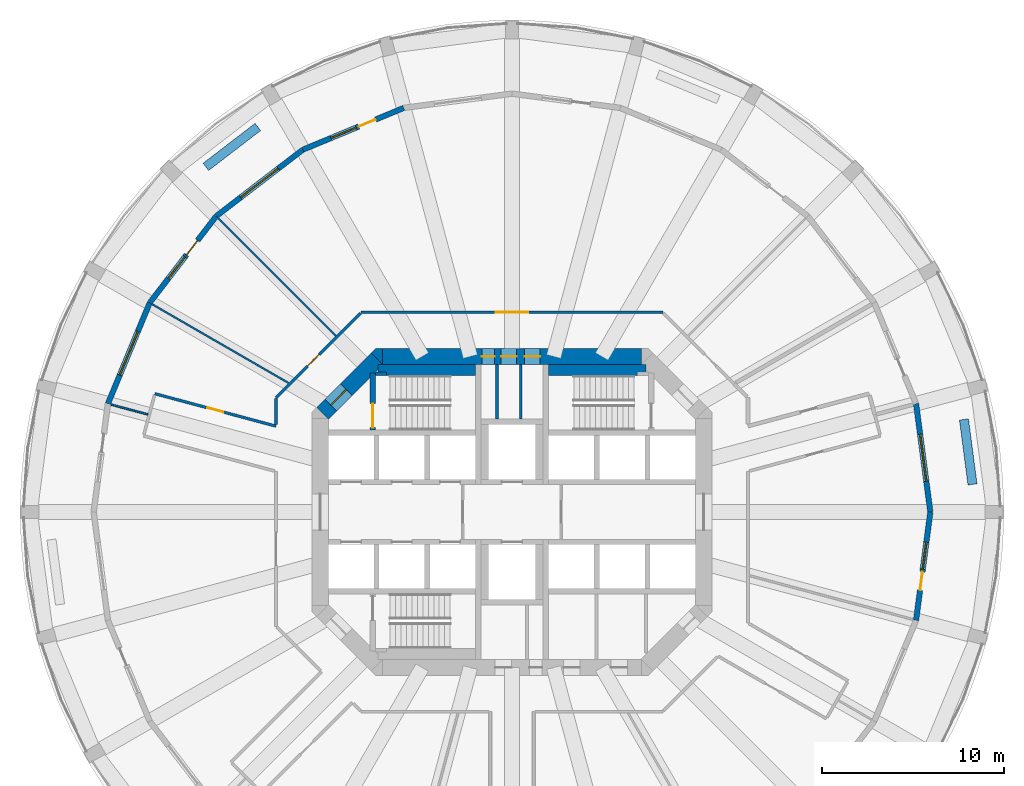
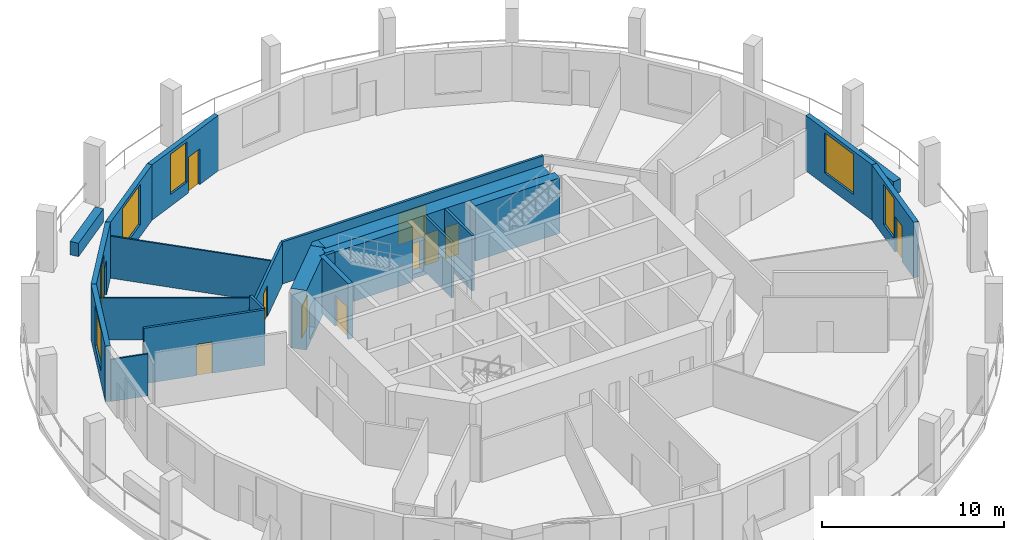
# One storey, part 5 of 9: 24 walls, 11 doors, 6 windows, 17 openings.
"""IFC4 building model written with IfcOpenShell, lengths in metres."""

from ifc_helpers import new_model, si_unit, direction, frame, frame_2d, origin, place, context, subcontext, project, spatial, polyline, rectangle, outline, extrude, material, layer, layer_set, type_object, element, fill, save


model = new_model("IFC4")

# Units and contexts
model_context = context("Model", 3, precision=1e-05, world=origin(), true_north=direction((0.0, 1.0)))
body_context = subcontext(model_context, "Body", "Model", "MODEL_VIEW")
ifc_project = project(units=[si_unit("LENGTHUNIT", "METRE"), si_unit("AREAUNIT", "SQUARE_METRE"), si_unit("VOLUMEUNIT", "CUBIC_METRE"), si_unit("PLANEANGLEUNIT", "RADIAN"), si_unit("MASSUNIT", "GRAM", prefix="KILO")], contexts=[model_context])

# Site, building, storey
site_placement = place(None, origin())
site = spatial("IfcSite", under=ifc_project, at=site_placement, CompositionType="ELEMENT")
building_placement = place(site_placement, origin())
building = spatial("IfcBuilding", under=site, at=building_placement, Name="Torre Triforio", CompositionType="ELEMENT")
storey_placement = place(building_placement, frame((0.0, 0.0, 43.0)))
storey = spatial("IfcBuildingStorey", under=building, at=storey_placement, Name="L08", CompositionType="ELEMENT", Elevation=43.0)

# Wall, openings, doors
ifc_material_1 = material(Name="Concrete C60", Category="concrete")
ifc_layer_1 = layer(ifc_material_1, 0.89990234375)
ifc_layer_set_1 = layer_set([ifc_layer_1], Name="Concrete C60")
wall_type_1 = type_object("IfcWallType", Name="Core wall 900 mm C60 EI 120", PredefinedType="SHEAR", material=ifc_layer_set_1)
wall_1_placement = place(storey_placement, frame((-7.1298828125, 8.550048828125, -0.280029296875), z_axis=(0.0, 0.0, 1.0), x_axis=(1.0, 0.0, 0.0)))
wall_1 = element("IfcWall", 1, at=wall_1_placement, inside=storey, type_object=wall_type_1, Name="Core wall", PredefinedType="SHEAR", context=body_context, shape_type="SweptSolid", body=[
    extrude(rectangle(XDim=14.259765625, YDim=0.89990234375, at=frame_2d((7.1298828125, 0.0))), origin(), (0.0, 0.0, 1.0), 4.0),
])
opening_1_placement = place(wall_1_placement, frame((5.47998046875, 0.0, 0.280029296875)))
opening_1 = element("IfcOpeningElement", 2, at=opening_1_placement, cuts=wall_1, Name="Opening RISER-N", PredefinedType="OPENING", context=body_context, shape_type="SweptSolid", body=[
    extrude(rectangle(XDim=0.699951171875, YDim=2.10009765625, at=frame_2d((0.35009765625, 1.050048828125))), frame((0.0, 0.4599609375, 0.0), z_axis=(0.0, -1.0, 0.0), x_axis=(1.0, 0.0, 0.0)), (0.0, 0.0, 1.0), 0.919921875),
])
opening_2_placement = place(wall_1_placement, frame((6.530029296875, 0.0, 0.280029296875)))
opening_2 = element("IfcOpeningElement", 3, at=opening_2_placement, cuts=wall_1, Name="Opening NE-01A", PredefinedType="OPENING", context=body_context, shape_type="SweptSolid", body=[
    extrude(rectangle(XDim=0.85009765625, YDim=2.10009765625, at=frame_2d((0.425048828125, 1.050048828125))), frame((0.0, 0.4599609375, 0.0), z_axis=(0.0, -1.0, 0.0), x_axis=(1.0, 0.0, 0.0)), (0.0, 0.0, 1.0), 0.919921875),
])
opening_3_placement = place(wall_1_placement, frame((7.830078125, 0.0, 0.280029296875)))
opening_3 = element("IfcOpeningElement", 4, at=opening_3_placement, cuts=wall_1, Name="Opening NE-02", PredefinedType="OPENING", context=body_context, shape_type="SweptSolid", body=[
    extrude(rectangle(XDim=0.85009765625, YDim=2.10009765625, at=frame_2d((0.425048828125, 1.050048828125))), frame((0.0, 0.4599609375, 0.0), z_axis=(0.0, -1.0, 0.0), x_axis=(1.0, 0.0, 0.0)), (0.0, 0.0, 1.0), 0.919921875),
])
ifc_material_2 = material(Name="Hollow metal fire door leaf")
door_type_1 = type_object("IfcDoorType", Name="Plant room door 850 x 2100 EI 60", OperationType="NOTDEFINED", PredefinedType="DOOR", material=ifc_material_2)
door_1_placement = place(opening_3_placement, origin())
door_1 = element("IfcDoor", 5, at=door_1_placement, inside=storey, type_object=door_type_1, Name="Core door NE-02", OperationType="SINGLE_SWING_RIGHT", OverallHeight=2.10009765625, OverallWidth=0.85009765625, PredefinedType="DOOR", context=body_context, shape_type="SweptSolid", body=[
    extrude(rectangle(XDim=0.85009765625, YDim=2.10009765625, at=frame_2d((0.425048828125, 1.050048828125))), frame((0.0, 0.02490234375, 0.0), z_axis=(0.0, -1.0, 0.0), x_axis=(1.0, 0.0, 0.0)), (0.0, 0.0, 1.0), 0.050048828125),
])
fill(opening_3, door_1)
door_type_2 = type_object("IfcDoorType", Name="Riser door 700 x 2100 EI 60", OperationType="NOTDEFINED", PredefinedType="DOOR", material=ifc_material_2)
door_2_placement = place(opening_1_placement, origin())
door_2 = element("IfcDoor", 6, at=door_2_placement, inside=storey, type_object=door_type_2, Name="Core door RISER-N", OperationType="SINGLE_SWING_LEFT", OverallHeight=2.10009765625, OverallWidth=0.699951171875, PredefinedType="DOOR", context=body_context, shape_type="SweptSolid", body=[
    extrude(rectangle(XDim=0.699951171875, YDim=2.10009765625, at=frame_2d((0.35009765625, 1.050048828125))), frame((0.0, 0.02490234375, 0.0), z_axis=(0.0, -1.0, 0.0), x_axis=(1.0, 0.0, 0.0)), (0.0, 0.0, 1.0), 0.050048828125),
])
fill(opening_1, door_2)
door_type_3 = type_object("IfcDoorType", Name="Room door 850 x 2100 EI 60", OperationType="NOTDEFINED", PredefinedType="DOOR", material=ifc_material_2)
door_3_placement = place(opening_2_placement, origin())
door_3 = element("IfcDoor", 7, at=door_3_placement, inside=storey, type_object=door_type_3, Name="Core door NE-01", OperationType="SINGLE_SWING_LEFT", OverallHeight=2.10009765625, OverallWidth=0.85009765625, PredefinedType="DOOR", context=body_context, shape_type="SweptSolid", body=[
    extrude(rectangle(XDim=0.85009765625, YDim=2.10009765625, at=frame_2d((0.425048828125, 1.050048828125))), frame((0.0, 0.02490234375, 0.0), z_axis=(0.0, -1.0, 0.0), x_axis=(1.0, 0.0, 0.0)), (0.0, 0.0, 1.0), 0.050048828125),
])
fill(opening_2, door_3)

# Wall, opening, door
wall_2_placement = place(storey_placement, frame((-10.418212890625, 5.418212890625, -0.280029296875), z_axis=(0.0, 0.0, 1.0), x_axis=(0.707106781187, 0.707106781187, 0.0)))
wall_2 = element("IfcWall", 8, at=wall_2_placement, inside=storey, type_object=wall_type_1, Name="Core wall", PredefinedType="SHEAR", context=body_context, shape_type="SweptSolid", body=[
    extrude(rectangle(XDim=4.24267578125, YDim=0.89990234375, at=frame_2d((2.121337890625, 0.0))), origin(), (0.0, 0.0, 1.0), 4.0),
])
opening_4_placement = place(wall_2_placement, frame((0.64990234375, 0.0, 0.280029296875)))
opening_4 = element("IfcOpeningElement", 9, at=opening_4_placement, cuts=wall_2, Name="Opening ST1-EXIT", PredefinedType="OPENING", context=body_context, shape_type="SweptSolid", body=[
    extrude(rectangle(XDim=1.199951171875, YDim=2.10009765625, at=frame_2d((0.60009765625, 1.050048828125))), frame((0.0, 0.4599609375, 0.0), z_axis=(0.0, -1.0, 0.0), x_axis=(1.0, 0.0, 0.0)), (0.0, 0.0, 1.0), 0.919921875),
])
door_type_4 = type_object("IfcDoorType", Name="Stair lobby door 1200 x 2100 EI 60", OperationType="NOTDEFINED", PredefinedType="DOOR", material=ifc_material_2)
door_4_placement = place(opening_4_placement, origin())
door_4 = element("IfcDoor", 10, at=door_4_placement, inside=storey, type_object=door_type_4, Name="Core door ST1-EXIT", OperationType="SINGLE_SWING_RIGHT", OverallHeight=2.10009765625, OverallWidth=1.199951171875, PredefinedType="DOOR", context=body_context, shape_type="SweptSolid", body=[
    extrude(rectangle(XDim=1.199951171875, YDim=2.10009765625, at=frame_2d((0.60009765625, 1.050048828125))), frame((0.0, 0.02490234375, 0.0), z_axis=(0.0, -1.0, 0.0), x_axis=(1.0, 0.0, 0.0)), (0.0, 0.0, 1.0), 0.050048828125),
])
fill(opening_4, door_4)

# Wall
wall_3_placement = place(storey_placement, frame((0.0, 0.0, -0.280029296875)))
element("IfcWall", 11, at=wall_3_placement, inside=storey, type_object=wall_type_1, Name="Core wall", PredefinedType="SHEAR", context=body_context, shape_type="SweptSolid", body=[
    extrude(outline(polyline([(-7.472900390625, 9.0), (-7.1298828125, 9.0), (-7.1298828125, 8.1298828125), (-7.736328125, 8.736328125), (-7.472900390625, 9.0)])), origin(), (0.0, 0.0, 1.0), 4.0),
])

# Wall, opening, door
ifc_material_3 = material(Name="Plasterboard on metal studs")
ifc_layer_2 = layer(ifc_material_3, 0.14990234375)
ifc_layer_set_2 = layer_set([ifc_layer_2], Name="Plasterboard on metal studs")
wall_type_2 = type_object("IfcWallType", Name="Corridor and tenancy wall 150 mm EI 60", PredefinedType="PARTITIONING", material=ifc_layer_set_2)
wall_4_placement = place(storey_placement, frame((-19.634521484375, 6.50341796875, 0.0), z_axis=(0.0, 0.0, 1.0), x_axis=(0.965924499418, -0.258823997003, 0.0)))
wall_4 = element("IfcWall", 12, at=wall_4_placement, inside=storey, type_object=wall_type_2, Name="Partition 17", PredefinedType="PARTITIONING", context=body_context, shape_type="SweptSolid", body=[
    extrude(rectangle(XDim=6.894287109375, YDim=0.14990234375, at=frame_2d((3.447265625, 0.0))), origin(), (0.0, 0.0, 1.0), 3.719970703125),
])
opening_5_placement = place(wall_4_placement, frame((2.997314453125, 0.0, 0.0)))
opening_5 = element("IfcOpeningElement", 13, at=opening_5_placement, cuts=wall_4, Name="Opening N2-03", PredefinedType="OPENING", context=body_context, shape_type="SweptSolid", body=[
    extrude(rectangle(XDim=0.89990234375, YDim=2.10009765625, at=frame_2d((0.449951171875, 1.050048828125))), frame((0.0, 0.0849609375, 0.0), z_axis=(0.0, -1.0, 0.0), x_axis=(1.0, 0.0, 0.0)), (0.0, 0.0, 1.0), 0.169921875),
])
ifc_material_4 = material(Name="Timber", Category="wood")
door_type_5 = type_object("IfcDoorType", Name="Door 900 x 2100 single leaf EI 30", OperationType="NOTDEFINED", PredefinedType="DOOR", material=ifc_material_4)
door_5_placement = place(opening_5_placement, origin())
door_5 = element("IfcDoor", 14, at=door_5_placement, inside=storey, type_object=door_type_5, Name="Door N2-03", OperationType="SINGLE_SWING_LEFT", OverallHeight=2.10009765625, OverallWidth=0.89990234375, PredefinedType="DOOR", context=body_context, shape_type="SweptSolid", body=[
    extrude(rectangle(XDim=0.89990234375, YDim=2.10009765625, at=frame_2d((0.449951171875, 1.050048828125))), frame((0.0, 0.02490234375, 0.0), z_axis=(0.0, -1.0, 0.0), x_axis=(1.0, 0.0, 0.0)), (0.0, 0.0, 1.0), 0.050048828125),
])
fill(opening_5, door_5)

# Wall
wall_5_placement = place(storey_placement, frame((-12.97509765625, 4.81640625, 0.0), z_axis=(0.0, 0.0, 1.0), x_axis=(0.0, 1.0, 0.0)))
element("IfcWall", 15, at=wall_5_placement, inside=storey, type_object=wall_type_2, Name="Partition 18", PredefinedType="PARTITIONING", context=body_context, shape_type="SweptSolid", body=[
    extrude(rectangle(XDim=1.421875, YDim=0.14990234375, at=frame_2d((0.7109375, 0.0))), origin(), (0.0, 0.0, 1.0), 3.719970703125),
])

# Wall, opening, door
wall_6_placement = place(storey_placement, frame((-12.97509765625, 6.291015625, 0.0), z_axis=(0.0, 0.0, 1.0), x_axis=(0.707125355289, 0.707088206597, 0.0)))
wall_6 = element("IfcWall", 16, at=wall_6_placement, inside=storey, type_object=wall_type_2, Name="Partition 19", PredefinedType="PARTITIONING", context=body_context, shape_type="SweptSolid", body=[
    extrude(rectangle(XDim=6.572021484375, YDim=0.14990234375, at=frame_2d((3.2861328125, 0.0))), origin(), (0.0, 0.0, 1.0), 2.820068359375),
])
opening_6_placement = place(wall_6_placement, frame((2.450439453125, 0.0, 0.0)))
opening_6 = element("IfcOpeningElement", 17, at=opening_6_placement, cuts=wall_6, Name="Opening N2-02", PredefinedType="OPENING", context=body_context, shape_type="SweptSolid", body=[
    extrude(rectangle(XDim=0.89990234375, YDim=2.10009765625, at=frame_2d((0.449951171875, 1.050048828125))), frame((0.0, 0.0849609375, 0.0), z_axis=(0.0, -1.0, 0.0), x_axis=(1.0, 0.0, 0.0)), (0.0, 0.0, 1.0), 0.169921875),
])
door_6_placement = place(opening_6_placement, origin())
door_6 = element("IfcDoor", 18, at=door_6_placement, inside=storey, type_object=door_type_5, Name="Door N2-02", OperationType="SINGLE_SWING_LEFT", OverallHeight=2.10009765625, OverallWidth=0.89990234375, PredefinedType="DOOR", context=body_context, shape_type="SweptSolid", body=[
    extrude(rectangle(XDim=0.89990234375, YDim=2.10009765625, at=frame_2d((0.449951171875, 1.050048828125))), frame((0.0, 0.02490234375, 0.0), z_axis=(0.0, -1.0, 0.0), x_axis=(1.0, 0.0, 0.0)), (0.0, 0.0, 1.0), 0.050048828125),
])
fill(opening_6, door_6)

wall_7_placement = place(storey_placement, frame((-8.291015625, 10.97509765625, 0.0), z_axis=(0.0, 0.0, 1.0), x_axis=(1.0, 0.0, 0.0)))
wall_7 = element("IfcWall", 19, at=wall_7_placement, inside=storey, type_object=wall_type_2, Name="Partition 20", PredefinedType="PARTITIONING", context=body_context, shape_type="SweptSolid", body=[
    extrude(rectangle(XDim=16.58203125, YDim=0.14990234375, at=frame_2d((8.291015625, 0.0))), origin(), (0.0, 0.0, 1.0), 2.820068359375),
])
opening_7_placement = place(wall_7_placement, frame((7.390869140625, 0.0, 0.0)))
opening_7 = element("IfcOpeningElement", 20, at=opening_7_placement, cuts=wall_7, Name="Opening N2-01", PredefinedType="OPENING", context=body_context, shape_type="SweptSolid", body=[
    extrude(rectangle(XDim=1.800048828125, YDim=2.10009765625, at=frame_2d((0.89990234375, 1.050048828125))), frame((0.0, 0.0849609375, 0.0), z_axis=(0.0, -1.0, 0.0), x_axis=(1.0, 0.0, 0.0)), (0.0, 0.0, 1.0), 0.169921875),
])
door_type_6 = type_object("IfcDoorType", Name="Door 1800 x 2100 double leaf EI 30", OperationType="DOUBLE_DOOR_SINGLE_SWING", PredefinedType="DOOR", material=ifc_material_4)
door_7_placement = place(opening_7_placement, origin())
door_7 = element("IfcDoor", 21, at=door_7_placement, inside=storey, type_object=door_type_6, Name="Door N2-01", OperationType="DOUBLE_DOOR_SINGLE_SWING", OverallHeight=2.10009765625, OverallWidth=1.800048828125, PredefinedType="DOOR", context=body_context, shape_type="SweptSolid", body=[
    extrude(rectangle(XDim=1.800048828125, YDim=2.10009765625, at=frame_2d((0.89990234375, 1.050048828125))), frame((0.0, 0.02490234375, 0.0), z_axis=(0.0, -1.0, 0.0), x_axis=(1.0, 0.0, 0.0)), (0.0, 0.0, 1.0), 0.050048828125),
])
fill(opening_7, door_7)

# Walls
ifc_layer_3 = layer(ifc_material_3, 0.10009765625)
ifc_layer_set_3 = layer_set([ifc_layer_3], Name="Plasterboard on metal studs")
wall_type_3 = type_object("IfcWallType", Name="Partition 100 mm board on metal studs", PredefinedType="PARTITIONING", material=ifc_layer_set_3)
wall_8_placement = place(storey_placement, frame((-9.68603515625, 9.68603515625, 0.0), z_axis=(0.0, 0.0, 1.0), x_axis=(-0.707106781187, 0.707106781187, 0.0)))
element("IfcWall", 22, at=wall_8_placement, inside=storey, type_object=wall_type_3, Name="Partition 33", PredefinedType="PARTITIONING", context=body_context, shape_type="SweptSolid", body=[
    extrude(rectangle(XDim=9.138427734375, YDim=0.10009765625, at=frame_2d((4.5693359375, 0.0))), origin(), (0.0, 0.0, 1.0), 2.820068359375),
])
wall_9_placement = place(storey_placement, frame((-12.294189453125, 7.097900390625, 0.0), z_axis=(0.0, 0.0, 1.0), x_axis=(-0.866010547425, 0.500025731086, 0.0)))
element("IfcWall", 23, at=wall_9_placement, inside=storey, type_object=wall_type_3, Name="Partition 34", PredefinedType="PARTITIONING", context=body_context, shape_type="SweptSolid", body=[
    extrude(rectangle(XDim=8.640625, YDim=0.10009765625, at=frame_2d((4.3203125, 0.0))), origin(), (0.0, 0.0, 1.0), 2.820068359375),
])
wall_10_placement = place(storey_placement, frame((-20.017578125, 5.36376953125, 0.0), z_axis=(0.0, 0.0, 1.0), x_axis=(-0.965927422152, 0.258813089189, 0.0)))
element("IfcWall", 24, at=wall_10_placement, inside=storey, type_object=wall_type_3, Name="Partition 35", PredefinedType="PARTITIONING", context=body_context, shape_type="SweptSolid", body=[
    extrude(rectangle(XDim=2.113037109375, YDim=0.10009765625, at=frame_2d((1.056640625, 0.0))), origin(), (0.0, 0.0, 1.0), 2.820068359375),
])
ifc_material_5 = material(Name="Block and board partition")
ifc_layer_4 = layer(ifc_material_5, 0.14990234375)
ifc_layer_set_4 = layer_set([ifc_layer_4], Name="Block and board partition")
wall_type_4 = type_object("IfcWallType", Name="Partition 150 mm", PredefinedType="PARTITIONING", material=ifc_layer_set_4)
wall_11_placement = place(storey_placement, frame((0.47509765625, 5.10009765625, 0.0), z_axis=(0.0, 0.0, 1.0), x_axis=(0.0, 1.0, 0.0)))
element("IfcWall", 25, at=wall_11_placement, inside=storey, type_object=wall_type_4, Name="Partition", PredefinedType="PARTITIONING", context=body_context, shape_type="SweptSolid", body=[
    extrude(rectangle(XDim=3.0, YDim=0.14990234375, at=frame_2d((1.5, 0.0))), origin(), (0.0, 0.0, 1.0), 3.719970703125),
])
ifc_layer_5 = layer(ifc_material_5, 0.14990234375)
ifc_layer_set_5 = layer_set([ifc_layer_5], Name="Block and board partition")
wall_type_5 = type_object("IfcWallType", Name="Partition 150 mm EI 120", PredefinedType="PARTITIONING", material=ifc_layer_set_5)
wall_12_placement = place(storey_placement, frame((-0.824951171875, 5.10009765625, 0.0), z_axis=(0.0, 0.0, 1.0), x_axis=(0.0, 1.0, 0.0)))
element("IfcWall", 26, at=wall_12_placement, inside=storey, type_object=wall_type_5, Name="Partition", PredefinedType="PARTITIONING", context=body_context, shape_type="SweptSolid", body=[
    extrude(rectangle(XDim=3.0, YDim=0.14990234375, at=frame_2d((1.5, 0.0))), origin(), (0.0, 0.0, 1.0), 3.719970703125),
])
ifc_material_6 = material(Name="Limestone cladding", Category="masonry")
ifc_layer_6 = layer(ifc_material_6, 0.10009765625)
ifc_material_7 = material(Name="Concrete C40", Category="concrete")
ifc_layer_7 = layer(ifc_material_7, 0.39990234375)
ifc_layer_set_6 = layer_set([ifc_layer_6, ifc_layer_7], Name="Limestone cladding / Concrete C40")
wall_type_6 = type_object("IfcWallType", Name="Planter wall 500", PredefinedType="PARAPET", material=ifc_layer_set_6)
wall_13_placement = place(storey_placement, frame((25.318603515625, 1.517578125, 0.0), z_axis=(0.0, 0.0, 1.0), x_axis=(-0.130542222659, 0.991442750795, 0.0)))
element("IfcWall", 27, at=wall_13_placement, inside=storey, type_object=wall_type_6, Name="Planter L08 bay 01", PredefinedType="PARAPET", context=body_context, shape_type="SweptSolid", body=[
    extrude(rectangle(XDim=3.60009765625, YDim=0.5, at=frame_2d((1.800048828125, 0.0))), origin(), (0.0, 0.0, 1.0), 0.89990234375),
])
wall_14_placement = place(storey_placement, frame((-13.9736328125, 21.16748046875, 0.0), z_axis=(0.0, 0.0, 1.0), x_axis=(-0.793359599829, -0.608753271334, 0.0)))
element("IfcWall", 28, at=wall_14_placement, inside=storey, type_object=wall_type_6, Name="Planter L08 bay 09", PredefinedType="PARAPET", context=body_context, shape_type="SweptSolid", body=[
    extrude(rectangle(XDim=3.599853515625, YDim=0.5, at=frame_2d((1.7998046875, 0.0))), origin(), (0.0, 0.0, 1.0), 0.89990234375),
])
ifc_layer_8 = layer(ifc_material_1, 0.199951171875)
ifc_layer_set_7 = layer_set([ifc_layer_8], Name="Concrete C60")
wall_type_7 = type_object("IfcWallType", Name="Stair wall 200 mm C60 EI 120", PredefinedType="SHEAR", material=ifc_layer_set_7)
wall_15_placement = place(storey_placement, frame((-7.5, 7.60009765625, 0.0), z_axis=(0.0, 0.0, 1.0), x_axis=(1.0, 0.0, 0.0)))
element("IfcWall", 29, at=wall_15_placement, inside=storey, type_object=wall_type_7, Name="Stair wall", PredefinedType="SHEAR", context=body_context, shape_type="SweptSolid", body=[
    extrude(rectangle(XDim=0.60009765625, YDim=0.199951171875, at=frame_2d((0.300048828125, 0.0))), origin(), (0.0, 0.0, 1.0), 3.719970703125),
])

# Wall, opening, door
ifc_layer_9 = layer(ifc_material_1, 0.300048828125)
ifc_layer_set_8 = layer_set([ifc_layer_9], Name="Concrete C60")
wall_type_8 = type_object("IfcWallType", Name="Stair wall 300 mm C60 EI 120", PredefinedType="SHEAR", material=ifc_layer_set_8)
wall_16_placement = place(storey_placement, frame((-7.64990234375, 4.5, 0.0), z_axis=(0.0, 0.0, 1.0), x_axis=(0.0, 1.0, 0.0)))
wall_16 = element("IfcWall", 30, at=wall_16_placement, inside=storey, type_object=wall_type_8, Name="Stair wall", PredefinedType="SHEAR", context=body_context, shape_type="SweptSolid", body=[
    extrude(rectangle(XDim=3.139892578125, YDim=0.300048828125, at=frame_2d((1.56982421875, 0.0))), origin(), (0.0, 0.0, 1.0), 3.719970703125),
])
opening_8_placement = place(wall_16_placement, frame((0.139892578125, 0.0, 0.0)))
opening_8 = element("IfcOpeningElement", 31, at=opening_8_placement, cuts=wall_16, Name="Opening ST1-STA", PredefinedType="OPENING", context=body_context, shape_type="SweptSolid", body=[
    extrude(rectangle(XDim=1.320068359375, YDim=2.10009765625, at=frame_2d((0.66015625, 1.050048828125))), frame((0.0, 0.159912109375, 0.0), z_axis=(0.0, -1.0, 0.0), x_axis=(1.0, 0.0, 0.0)), (0.0, 0.0, 1.0), 0.320068359375),
])
door_type_7 = type_object("IfcDoorType", Name="Stair door 1320 x 2100 EI 90", OperationType="DOUBLE_DOOR_SINGLE_SWING", PredefinedType="DOOR", material=ifc_material_2)
door_8_placement = place(opening_8_placement, origin())
door_8 = element("IfcDoor", 32, at=door_8_placement, inside=storey, type_object=door_type_7, Name="Core door ST1-ST", OperationType="DOUBLE_DOOR_SINGLE_SWING", OverallHeight=2.10009765625, OverallWidth=1.320068359375, PredefinedType="DOOR", context=body_context, shape_type="SweptSolid", body=[
    extrude(rectangle(XDim=1.320068359375, YDim=2.10009765625, at=frame_2d((0.66015625, 1.050048828125))), frame((0.0, 0.02490234375, 0.0), z_axis=(0.0, -1.0, 0.0), x_axis=(1.0, 0.0, 0.0)), (0.0, 0.0, 1.0), 0.050048828125),
])
fill(opening_8, door_8)

# Walls
ifc_layer_10 = layer(ifc_material_1, 0.60009765625)
ifc_layer_set_9 = layer_set([ifc_layer_10], Name="Concrete C60")
wall_type_9 = type_object("IfcWallType", Name="Stair wall 600 mm C60 EI 120", PredefinedType="SHEAR", material=ifc_layer_set_9)
for number, where, z_axis, x_axis, name in (
    (33, (-7.3701171875, 7.800048828125, 0.0), (0.0, 0.0, 1.0), (1.0, 0.0, 0.0), "Stair wall"),
    (34, (2.0, 7.800048828125, 0.0), (0.0, 0.0, 1.0), (1.0, 0.0, 0.0), "Stair wall"),
):
    element("IfcWall", number, at=place(storey_placement, frame(where, z_axis=z_axis, x_axis=x_axis)), inside=storey, type_object=wall_type_9, Name=name, PredefinedType="SHEAR", context=body_context, shape_type="SweptSolid", body=[
        extrude(rectangle(XDim=5.3701171875, YDim=0.60009765625, at=frame_2d((2.68505859375, 0.0))), origin(), (0.0, 0.0, 1.0), 3.719970703125),
    ])

# Wall, opening, window
ifc_layer_11 = layer(ifc_material_6, 0.10009765625)
ifc_layer_12 = layer(ifc_material_7, 0.199951171875)
ifc_layer_set_10 = layer_set([ifc_layer_11, ifc_layer_12], Name="Limestone cladding / Concrete C40")
wall_type_10 = type_object("IfcWallType", Name="Stone-faced composite wall 300", PredefinedType="STANDARD", material=ifc_layer_set_10)
wall_17_placement = place(storey_placement, frame((23.0, 0.0, 0.0), z_axis=(0.0, 0.0, 1.0), x_axis=(-0.130522880875, 0.991445297315, 0.0)))
wall_17 = element("IfcWall", 35, at=wall_17_placement, inside=storey, type_object=wall_type_10, Name="External wall L08 bay 01", PredefinedType="STANDARD", context=body_context, shape_type="SweptSolid", body=[
    extrude(rectangle(XDim=6.004150390625, YDim=0.300048828125, at=frame_2d((3.001953125, 0.0))), origin(), (0.0, 0.0, 1.0), 3.719970703125),
])
opening_9_placement = place(wall_17_placement, frame((1.7021484375, 0.0, 0.800048828125)))
opening_9 = element("IfcOpeningElement", 36, at=opening_9_placement, cuts=wall_17, Name="Opening N2-W01", PredefinedType="OPENING", context=body_context, shape_type="SweptSolid", body=[
    extrude(rectangle(XDim=2.60009765625, YDim=2.699951171875, at=frame_2d((1.300048828125, 1.35009765625))), frame((0.0, 0.159912109375, 0.0), z_axis=(0.0, -1.0, 0.0), x_axis=(1.0, 0.0, 0.0)), (0.0, 0.0, 1.0), 0.320068359375),
])
ifc_material_8 = material(Name="Aluminium frame with clear double glazing", Category="aluminium")
window_type_1 = type_object("IfcWindowType", Name="Punched window 2600 x 2700", PartitioningType="DOUBLE_PANEL_VERTICAL", PredefinedType="WINDOW", material=ifc_material_8)
window_1_placement = place(opening_9_placement, origin())
window_1 = element("IfcWindow", 37, at=window_1_placement, inside=storey, type_object=window_type_1, Name="Window EWN2 L08 bay 01", OverallHeight=2.699951171875, OverallWidth=2.60009765625, PartitioningType="SINGLE_PANEL", PredefinedType="WINDOW", context=body_context, shape_type="SweptSolid", body=[
    extrude(rectangle(XDim=2.60009765625, YDim=2.699951171875, at=frame_2d((1.300048828125, 1.35009765625))), frame((0.0, 0.030029296875, 0.0), z_axis=(0.0, -1.0, 0.0), x_axis=(1.0, 0.0, 0.0)), (0.0, 0.0, 1.0), 0.06005859375),
])
fill(opening_9, window_1)

# Wall, openings, door, window
wall_18_placement = place(storey_placement, frame((-5.952880859375, 22.21630859375, 0.0), z_axis=(0.0, 0.0, 1.0), x_axis=(-0.923884511653, -0.382671411433, 0.0)))
wall_18 = element("IfcWall", 38, at=wall_18_placement, inside=storey, type_object=wall_type_10, Name="External wall L08 bay 08", PredefinedType="STANDARD", context=body_context, shape_type="SweptSolid", body=[
    extrude(rectangle(XDim=6.004150390625, YDim=0.300048828125, at=frame_2d((3.001953125, 0.0))), origin(), (0.0, 0.0, 1.0), 3.719970703125),
])
opening_10_placement = place(wall_18_placement, frame((1.677001953125, 0.0, 0.0)))
opening_10 = element("IfcOpeningElement", 39, at=opening_10_placement, cuts=wall_18, Name="Opening N2-D08", PredefinedType="OPENING", context=body_context, shape_type="SweptSolid", body=[
    extrude(rectangle(XDim=1.0, YDim=2.39990234375, at=frame_2d((0.5, 1.199951171875))), frame((0.0, 0.159912109375, 0.0), z_axis=(0.0, -1.0, 0.0), x_axis=(1.0, 0.0, 0.0)), (0.0, 0.0, 1.0), 0.320068359375),
])
opening_11_placement = place(wall_18_placement, frame((2.8271484375, 0.0, 0.800048828125)))
opening_11 = element("IfcOpeningElement", 40, at=opening_11_placement, cuts=wall_18, Name="Opening N2-W08A", PredefinedType="OPENING", context=body_context, shape_type="SweptSolid", body=[
    extrude(rectangle(XDim=1.5, YDim=2.699951171875, at=frame_2d((0.75, 1.35009765625))), frame((0.0, 0.159912109375, 0.0), z_axis=(0.0, -1.0, 0.0), x_axis=(1.0, 0.0, 0.0)), (0.0, 0.0, 1.0), 0.320068359375),
])
door_type_8 = type_object("IfcDoorType", Name="Loggia door 1000 x 2400", OperationType="NOTDEFINED", PredefinedType="DOOR", material=ifc_material_8)
door_9_placement = place(opening_10_placement, origin())
door_9 = element("IfcDoor", 41, at=door_9_placement, inside=storey, type_object=door_type_8, Name="Loggia door L08 bay 08", OperationType="SINGLE_SWING_LEFT", OverallHeight=2.39990234375, OverallWidth=1.0, PredefinedType="DOOR", context=body_context, shape_type="SweptSolid", body=[
    extrude(rectangle(XDim=1.0, YDim=2.39990234375, at=frame_2d((0.5, 1.199951171875))), frame((0.0, 0.02490234375, 0.0), z_axis=(0.0, -1.0, 0.0), x_axis=(1.0, 0.0, 0.0)), (0.0, 0.0, 1.0), 0.050048828125),
])
fill(opening_10, door_9)
window_type_2 = type_object("IfcWindowType", Name="Side window 1500 x 2700", PartitioningType="SINGLE_PANEL", PredefinedType="WINDOW", material=ifc_material_8)
window_2_placement = place(opening_11_placement, origin())
window_2 = element("IfcWindow", 42, at=window_2_placement, inside=storey, type_object=window_type_2, Name="Side window EWN12 L08 bay 08", OverallHeight=2.699951171875, OverallWidth=1.5, PartitioningType="SINGLE_PANEL", PredefinedType="WINDOW", context=body_context, shape_type="SweptSolid", body=[
    extrude(rectangle(XDim=1.5, YDim=2.699951171875, at=frame_2d((0.75, 1.35009765625))), frame((0.0, 0.030029296875, 0.0), z_axis=(0.0, -1.0, 0.0), x_axis=(1.0, 0.0, 0.0)), (0.0, 0.0, 1.0), 0.06005859375),
])
fill(opening_11, window_2)

# Wall, opening, window
wall_19_placement = place(storey_placement, frame((-11.5, 19.918701171875, 0.0), z_axis=(0.0, 0.0, 1.0), x_axis=(-0.793339924758, -0.608778912074, 0.0)))
wall_19 = element("IfcWall", 43, at=wall_19_placement, inside=storey, type_object=wall_type_10, Name="External wall L08 bay 09", PredefinedType="STANDARD", context=body_context, shape_type="SweptSolid", body=[
    extrude(rectangle(XDim=6.004150390625, YDim=0.300048828125, at=frame_2d((3.001953125, 0.0))), origin(), (0.0, 0.0, 1.0), 3.719970703125),
])
opening_12_placement = place(wall_19_placement, frame((1.7021484375, 0.0, 0.800048828125)))
opening_12 = element("IfcOpeningElement", 44, at=opening_12_placement, cuts=wall_19, Name="Opening N2-W09", PredefinedType="OPENING", context=body_context, shape_type="SweptSolid", body=[
    extrude(rectangle(XDim=2.60009765625, YDim=2.699951171875, at=frame_2d((1.300048828125, 1.35009765625))), frame((0.0, 0.159912109375, 0.0), z_axis=(0.0, -1.0, 0.0), x_axis=(1.0, 0.0, 0.0)), (0.0, 0.0, 1.0), 0.320068359375),
])
window_3_placement = place(opening_12_placement, origin())
window_3 = element("IfcWindow", 45, at=window_3_placement, inside=storey, type_object=window_type_1, Name="Window EWN2 L08 bay 09", OverallHeight=2.699951171875, OverallWidth=2.60009765625, PartitioningType="SINGLE_PANEL", PredefinedType="WINDOW", context=body_context, shape_type="SweptSolid", body=[
    extrude(rectangle(XDim=2.60009765625, YDim=2.699951171875, at=frame_2d((1.300048828125, 1.35009765625))), frame((0.0, 0.030029296875, 0.0), z_axis=(0.0, -1.0, 0.0), x_axis=(1.0, 0.0, 0.0)), (0.0, 0.0, 1.0), 0.06005859375),
])
fill(opening_12, window_3)

# Wall, openings, door, window
wall_20_placement = place(storey_placement, frame((-16.263427734375, 16.263427734375, 0.0), z_axis=(0.0, 0.0, 1.0), x_axis=(-0.608778912074, -0.793339924758, 0.0)))
wall_20 = element("IfcWall", 46, at=wall_20_placement, inside=storey, type_object=wall_type_10, Name="External wall L08 bay 10", PredefinedType="STANDARD", context=body_context, shape_type="SweptSolid", body=[
    extrude(rectangle(XDim=6.004150390625, YDim=0.300048828125, at=frame_2d((3.001953125, 0.0))), origin(), (0.0, 0.0, 1.0), 3.719970703125),
])
opening_13_placement = place(wall_20_placement, frame((1.677001953125, 0.0, 0.0)))
opening_13 = element("IfcOpeningElement", 47, at=opening_13_placement, cuts=wall_20, Name="Opening N2-D10", PredefinedType="OPENING", context=body_context, shape_type="SweptSolid", body=[
    extrude(rectangle(XDim=1.0, YDim=2.39990234375, at=frame_2d((0.5, 1.199951171875))), frame((0.0, 0.159912109375, 0.0), z_axis=(0.0, -1.0, 0.0), x_axis=(1.0, 0.0, 0.0)), (0.0, 0.0, 1.0), 0.320068359375),
])
opening_14_placement = place(wall_20_placement, frame((2.8271484375, 0.0, 0.800048828125)))
opening_14 = element("IfcOpeningElement", 48, at=opening_14_placement, cuts=wall_20, Name="Opening N2-W10A", PredefinedType="OPENING", context=body_context, shape_type="SweptSolid", body=[
    extrude(rectangle(XDim=1.5, YDim=2.699951171875, at=frame_2d((0.75, 1.35009765625))), frame((0.0, 0.159912109375, 0.0), z_axis=(0.0, -1.0, 0.0), x_axis=(1.0, 0.0, 0.0)), (0.0, 0.0, 1.0), 0.320068359375),
])
door_10_placement = place(opening_13_placement, origin())
door_10 = element("IfcDoor", 49, at=door_10_placement, inside=storey, type_object=door_type_8, Name="Loggia door L08 bay 10", OperationType="SINGLE_SWING_LEFT", OverallHeight=2.39990234375, OverallWidth=1.0, PredefinedType="DOOR", context=body_context, shape_type="SweptSolid", body=[
    extrude(rectangle(XDim=1.0, YDim=2.39990234375, at=frame_2d((0.5, 1.199951171875))), frame((0.0, 0.02490234375, 0.0), z_axis=(0.0, -1.0, 0.0), x_axis=(1.0, 0.0, 0.0)), (0.0, 0.0, 1.0), 0.050048828125),
])
fill(opening_13, door_10)
window_4_placement = place(opening_14_placement, origin())
window_4 = element("IfcWindow", 50, at=window_4_placement, inside=storey, type_object=window_type_2, Name="Side window EWN12 L08 bay 10", OverallHeight=2.699951171875, OverallWidth=1.5, PartitioningType="SINGLE_PANEL", PredefinedType="WINDOW", context=body_context, shape_type="SweptSolid", body=[
    extrude(rectangle(XDim=1.5, YDim=2.699951171875, at=frame_2d((0.75, 1.35009765625))), frame((0.0, 0.030029296875, 0.0), z_axis=(0.0, -1.0, 0.0), x_axis=(1.0, 0.0, 0.0)), (0.0, 0.0, 1.0), 0.06005859375),
])
fill(opening_14, window_4)

# Wall, opening, window
wall_21_placement = place(storey_placement, frame((-19.918701171875, 11.5, 0.0), z_axis=(0.0, 0.0, 1.0), x_axis=(-0.382671411433, -0.923884511653, 0.0)))
wall_21 = element("IfcWall", 51, at=wall_21_placement, inside=storey, type_object=wall_type_10, Name="External wall L08 bay 11", PredefinedType="STANDARD", context=body_context, shape_type="SweptSolid", body=[
    extrude(rectangle(XDim=6.004150390625, YDim=0.300048828125, at=frame_2d((3.001953125, 0.0))), origin(), (0.0, 0.0, 1.0), 3.719970703125),
])
opening_15_placement = place(wall_21_placement, frame((1.7021484375, 0.0, 0.800048828125)))
opening_15 = element("IfcOpeningElement", 52, at=opening_15_placement, cuts=wall_21, Name="Opening N2-W11", PredefinedType="OPENING", context=body_context, shape_type="SweptSolid", body=[
    extrude(rectangle(XDim=2.60009765625, YDim=2.699951171875, at=frame_2d((1.300048828125, 1.35009765625))), frame((0.0, 0.159912109375, 0.0), z_axis=(0.0, -1.0, 0.0), x_axis=(1.0, 0.0, 0.0)), (0.0, 0.0, 1.0), 0.320068359375),
])
window_5_placement = place(opening_15_placement, origin())
window_5 = element("IfcWindow", 53, at=window_5_placement, inside=storey, type_object=window_type_1, Name="Window EWN2 L08 bay 11", OverallHeight=2.699951171875, OverallWidth=2.60009765625, PartitioningType="SINGLE_PANEL", PredefinedType="WINDOW", context=body_context, shape_type="SweptSolid", body=[
    extrude(rectangle(XDim=2.60009765625, YDim=2.699951171875, at=frame_2d((1.300048828125, 1.35009765625))), frame((0.0, 0.030029296875, 0.0), z_axis=(0.0, -1.0, 0.0), x_axis=(1.0, 0.0, 0.0)), (0.0, 0.0, 1.0), 0.06005859375),
])
fill(opening_15, window_5)

# Wall, openings, door, window
wall_22_placement = place(storey_placement, frame((22.21630859375, -5.952880859375, 0.0), z_axis=(0.0, 0.0, 1.0), x_axis=(0.130522880875, 0.991445297315, 0.0)))
wall_22 = element("IfcWall", 54, at=wall_22_placement, inside=storey, type_object=wall_type_10, Name="External wall L08 bay 24", PredefinedType="STANDARD", context=body_context, shape_type="SweptSolid", body=[
    extrude(rectangle(XDim=6.004150390625, YDim=0.300048828125, at=frame_2d((3.001953125, 0.0))), origin(), (0.0, 0.0, 1.0), 3.719970703125),
])
opening_16_placement = place(wall_22_placement, frame((1.677001953125, 0.0, 0.0)))
opening_16 = element("IfcOpeningElement", 55, at=opening_16_placement, cuts=wall_22, Name="Opening N2-D24", PredefinedType="OPENING", context=body_context, shape_type="SweptSolid", body=[
    extrude(rectangle(XDim=1.0, YDim=2.39990234375, at=frame_2d((0.5, 1.199951171875))), frame((0.0, 0.159912109375, 0.0), z_axis=(0.0, -1.0, 0.0), x_axis=(1.0, 0.0, 0.0)), (0.0, 0.0, 1.0), 0.320068359375),
])
opening_17_placement = place(wall_22_placement, frame((2.8271484375, 0.0, 0.800048828125)))
opening_17 = element("IfcOpeningElement", 56, at=opening_17_placement, cuts=wall_22, Name="Opening N2-W24A", PredefinedType="OPENING", context=body_context, shape_type="SweptSolid", body=[
    extrude(rectangle(XDim=1.5, YDim=2.699951171875, at=frame_2d((0.75, 1.35009765625))), frame((0.0, 0.159912109375, 0.0), z_axis=(0.0, -1.0, 0.0), x_axis=(1.0, 0.0, 0.0)), (0.0, 0.0, 1.0), 0.320068359375),
])
door_11_placement = place(opening_16_placement, origin())
door_11 = element("IfcDoor", 57, at=door_11_placement, inside=storey, type_object=door_type_8, Name="Loggia door L08 bay 24", OperationType="SINGLE_SWING_LEFT", OverallHeight=2.39990234375, OverallWidth=1.0, PredefinedType="DOOR", context=body_context, shape_type="SweptSolid", body=[
    extrude(rectangle(XDim=1.0, YDim=2.39990234375, at=frame_2d((0.5, 1.199951171875))), frame((0.0, 0.02490234375, 0.0), z_axis=(0.0, -1.0, 0.0), x_axis=(1.0, 0.0, 0.0)), (0.0, 0.0, 1.0), 0.050048828125),
])
fill(opening_16, door_11)
window_6_placement = place(opening_17_placement, origin())
window_6 = element("IfcWindow", 58, at=window_6_placement, inside=storey, type_object=window_type_2, Name="Side window EWN12 L08 bay 24", OverallHeight=2.699951171875, OverallWidth=1.5, PartitioningType="SINGLE_PANEL", PredefinedType="WINDOW", context=body_context, shape_type="SweptSolid", body=[
    extrude(rectangle(XDim=1.5, YDim=2.699951171875, at=frame_2d((0.75, 1.35009765625))), frame((0.0, 0.030029296875, 0.0), z_axis=(0.0, -1.0, 0.0), x_axis=(1.0, 0.0, 0.0)), (0.0, 0.0, 1.0), 0.06005859375),
])
fill(opening_17, window_6)

save(model, "model.ifc")
